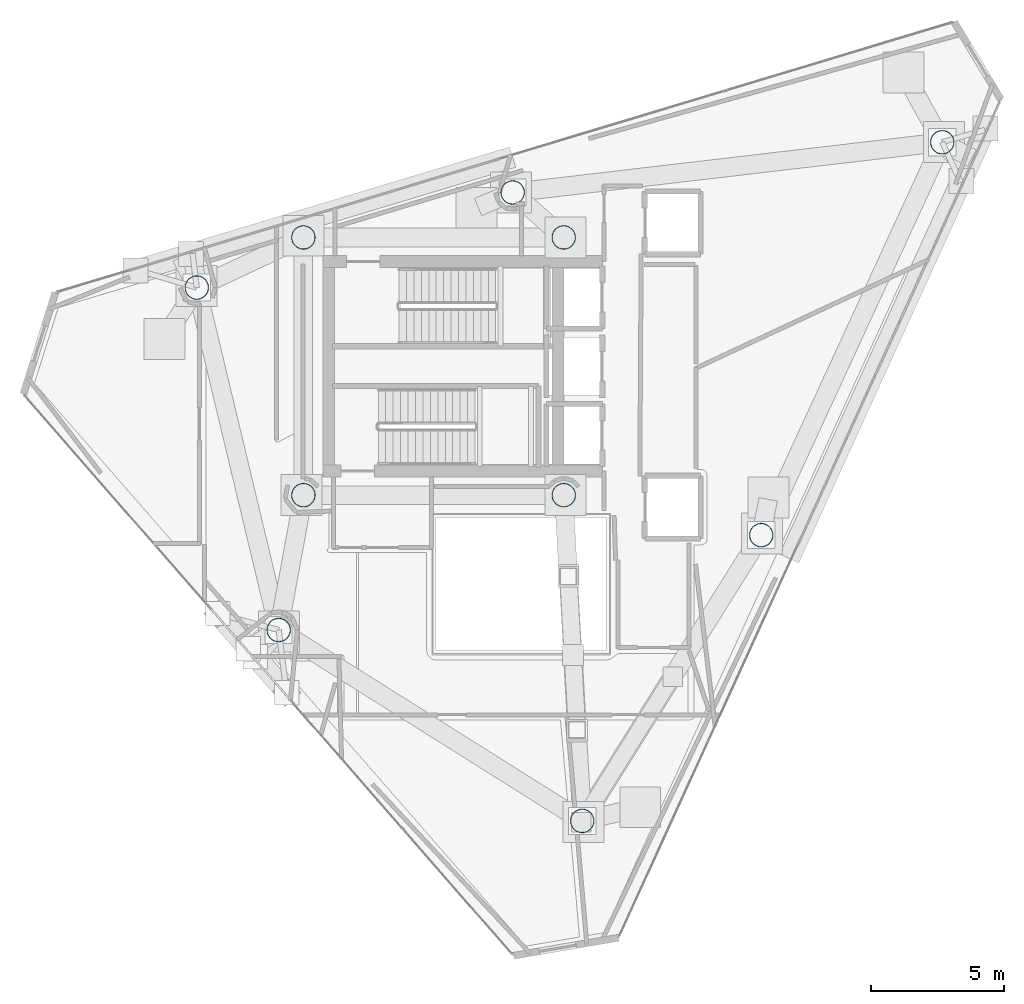
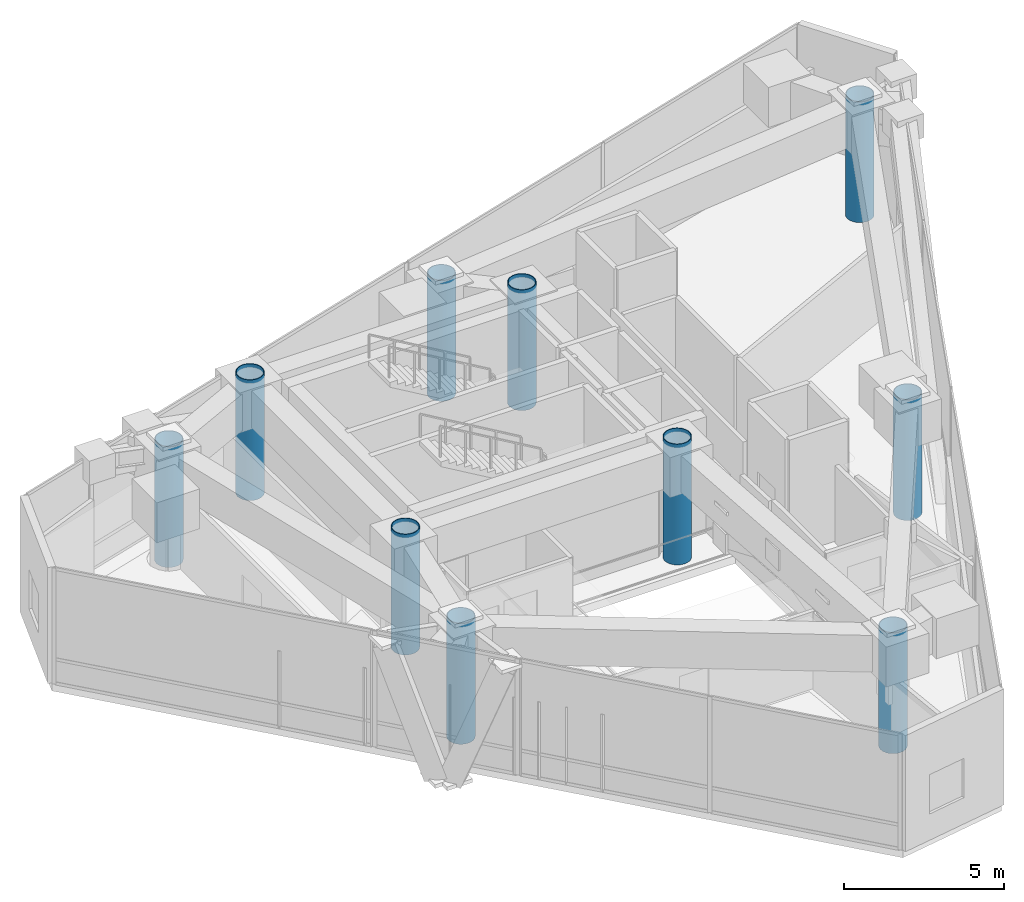
# One storey, part 1 of 20: 10 columns.
"""IFC4 building model written with IfcOpenShell, lengths in metres."""

from ifc_helpers import new_model, si_unit, direction, frame, origin, origin_2d, place, context, subcontext, project, spatial, hollow_circle, extrude, material, material_profile, profile_set, type_object, element, save


model = new_model("IFC4")

# Units and contexts
model_context = context("Model", 3, precision=1e-05, world=origin(), true_north=direction((0.0, 1.0)))
body_context = subcontext(model_context, "Body", "Model", "MODEL_VIEW")
ifc_project = project(units=[si_unit("LENGTHUNIT", "METRE"), si_unit("AREAUNIT", "SQUARE_METRE"), si_unit("VOLUMEUNIT", "CUBIC_METRE"), si_unit("PLANEANGLEUNIT", "RADIAN"), si_unit("MASSUNIT", "GRAM", prefix="KILO")], contexts=[model_context])

# Site, building, storey
site_placement = place(None, origin())
site = spatial("IfcSite", under=ifc_project, at=site_placement, CompositionType="ELEMENT")
building_placement = place(site_placement, origin())
building = spatial("IfcBuilding", under=site, at=building_placement, Name="Qianvela Tower", CompositionType="ELEMENT")
storey_placement = place(building_placement, frame((0.0, 0.0, 321.300048828125)))
storey = spatial("IfcBuildingStorey", under=building, at=storey_placement, Name="L83", CompositionType="ELEMENT", Elevation=321.300048828125)

# Columns
ifc_material = material(Name="Steel Q420GJC", Category="steel")
ifc_material_profile = material_profile(ifc_material, hollow_circle(Radius=0.449951171875, WallThickness=0.02490234375, at=origin_2d()), Name="CFT-900x25")
ifc_profile_set = profile_set([ifc_material_profile], Name="Steel Q420GJC")
column_type = type_object("IfcColumnType", Name="COL-CFT-900x25", PredefinedType="COLUMN", material=ifc_profile_set)
for number, where, z_axis, x_axis, name in (
    (1, (28.60009765625, 33.550048828125, 0.0), (0.0, 0.0, 1.0), (1.0, 0.0, 0.0), "L83 Core Corner Mega-Column CC-NW"),
    (2, (28.60009765625, 23.85009765625, 0.0), (0.0, 0.0, 1.0), (1.0, 0.0, 0.0), "L83 Core Corner Mega-Column CC-SW"),
    (3, (38.39990234375, 33.550048828125, 0.0), (0.0, 0.0, 1.0), (1.0, 0.0, 0.0), "L83 Core Corner Mega-Column CC-NE"),
    (4, (38.39990234375, 23.85009765625, 0.0), (0.0, 0.0, 1.0), (1.0, 0.0, 0.0), "L83 Core Corner Mega-Column CC-SE"),
    (5, (52.64794921875, 37.135009765625, 0.0), (0.0, 0.0, 1.0), (1.0, 0.0, 0.0), "L83 Zone Z7 CFT Mega-Column C1"),
    (6, (36.47607421875, 35.242919921875, 0.0), (0.0, 0.0, 1.0), (1.0, 0.0, 0.0), "L83 Zone Z7 CFT Mega-Column C2"),
    (7, (24.5869140625, 31.6630859375, 0.0), (0.0, 0.0, 1.0), (1.0, 0.0, 0.0), "L83 Zone Z7 CFT Mega-Column C3"),
    (8, (27.669921875, 18.77392578125, 0.0), (0.0, 0.0, 1.0), (1.0, 0.0, 0.0), "L83 Zone Z7 CFT Mega-Column C4"),
    (9, (39.095947265625, 11.587890625, 0.0), (0.0, 0.0, 1.0), (1.0, 0.0, 0.0), "L83 Zone Z7 CFT Mega-Column C5"),
    (10, (45.833984375, 22.344970703125, 0.0), (0.0, 0.0, 1.0), (1.0, 0.0, 0.0), "L83 Zone Z7 CFT Mega-Column C6"),
):
    element("IfcColumn", number, at=place(storey_placement, frame(where, z_axis=z_axis, x_axis=x_axis)), inside=storey, type_object=column_type, Name=name, PredefinedType="COLUMN", context=body_context, shape_type="SweptSolid", body=[
        extrude(hollow_circle(Radius=0.449951171875, WallThickness=0.02490234375, at=origin_2d()), origin(), (0.0, 0.0, 1.0), 4.599853515625),
    ])

save(model, "model.ifc")
